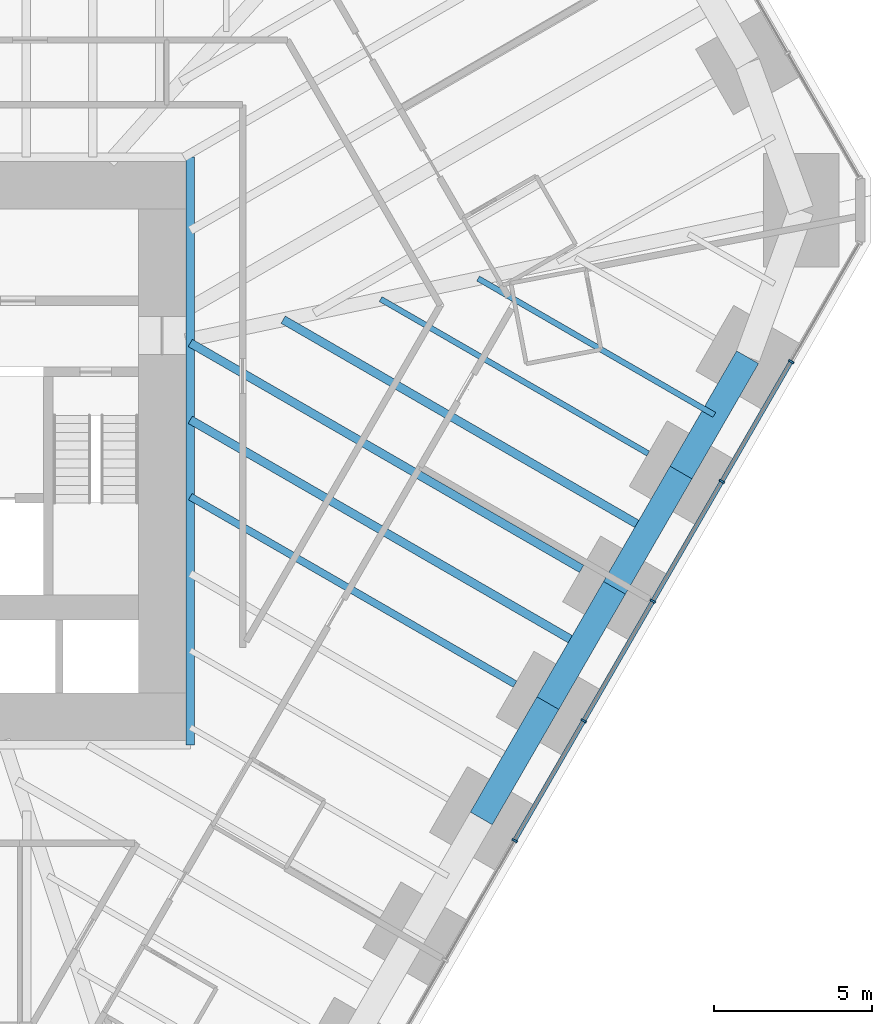
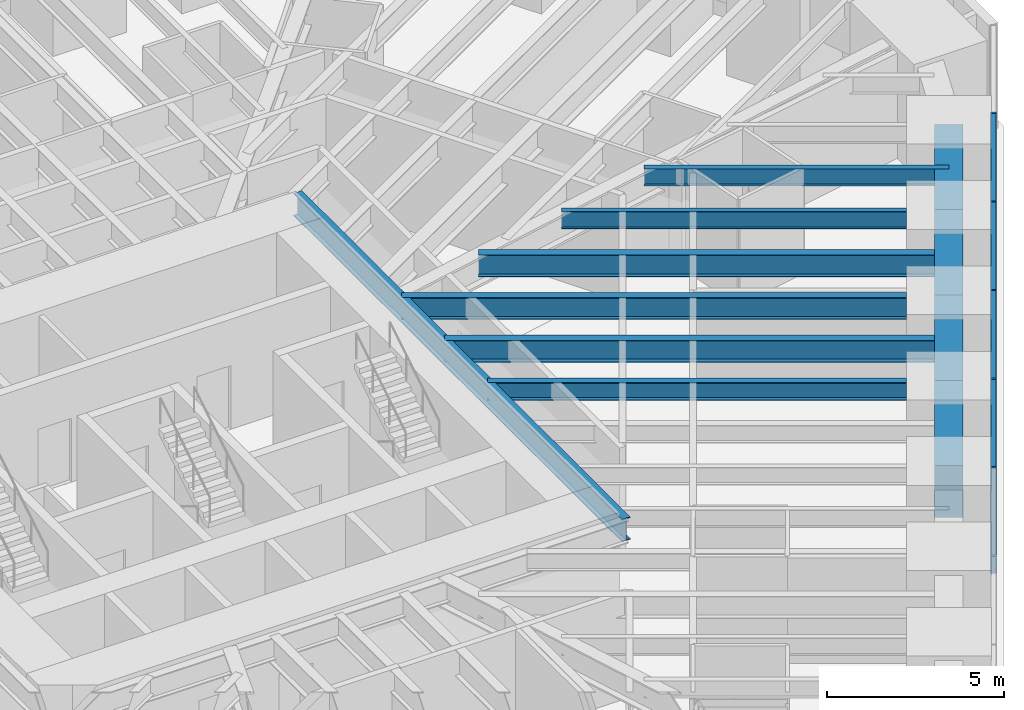
# One storey, part 6 of 17: 11 beams, 9 members, 1 element without a shape of its own.
"""IFC4 building model written with IfcOpenShell, lengths in metres."""

from ifc_helpers import new_model, si_unit, direction, frame, origin, origin_2d, place, context, subcontext, project, spatial, rectangle, i_section, extrude, material, material_profile, profile_set, type_object, element, aggregate, save


model = new_model("IFC4")

# Units and contexts
model_context = context("Model", 3, precision=1e-05, world=origin(), true_north=direction((0.0, 1.0)))
body_context = subcontext(model_context, "Body", "Model", "MODEL_VIEW")
ifc_project = project(units=[si_unit("LENGTHUNIT", "METRE"), si_unit("AREAUNIT", "SQUARE_METRE"), si_unit("VOLUMEUNIT", "CUBIC_METRE"), si_unit("PLANEANGLEUNIT", "RADIAN"), si_unit("MASSUNIT", "GRAM", prefix="KILO")], contexts=[model_context])

# Site, building, storey
site_placement = place(None, origin())
site = spatial("IfcSite", under=ifc_project, at=site_placement, CompositionType="ELEMENT")
building_placement = place(site_placement, origin())
building = spatial("IfcBuilding", under=site, at=building_placement, Name="Sandreach Pilgrim Tower", CompositionType="ELEMENT")
storey_placement = place(building_placement, frame((0.0, 0.0, 42.0)))
storey = spatial("IfcBuildingStorey", under=building, at=storey_placement, Name="L09", CompositionType="ELEMENT", Elevation=42.0)

# Curtain wall, members
ifc_material_1 = material(Name="Aluminium framed curtain wall", Category="aluminium")
curtain_wall_type = type_object("IfcCurtainWallType", Name="Hostel tower curtain wall", PredefinedType="NOTDEFINED", material=ifc_material_1)
curtain_wall_placement = place(storey_placement, origin())
curtain_wall = element("IfcCurtainWall", 1, at=curtain_wall_placement, inside=storey, type_object=curtain_wall_type, Name="CW-1 L09 SE", PredefinedType="NOTDEFINED")
ifc_material_2 = material(Name="Aluminium extrusion", Category="aluminium")
ifc_material_profile_1 = material_profile(ifc_material_2, rectangle(XDim=0.06494140625, YDim=0.179931640625, at=origin_2d()), Name="CW-1M 65X180")
ifc_profile_set_1 = profile_set([ifc_material_profile_1], Name="Aluminium extrusion")
member_type_1 = type_object("IfcMemberType", Name="CW-1 mullion", PredefinedType="MULLION", material=ifc_profile_set_1)
member_1_placement = place(storey_placement, frame((28.390380859375, 1.2763671875, 0.0), z_axis=(0.0, 0.0, 1.0), x_axis=(-0.5, -0.866025403784, 0.0)))
member_1 = element("IfcMember", 2, at=member_1_placement, type_object=member_type_1, Name="CW-1 mullion 2", PredefinedType="MULLION", context=body_context, shape_type="SweptSolid", body=[
    extrude(rectangle(XDim=0.06494140625, YDim=0.179931640625, at=origin_2d()), origin(), (0.0, 0.0, 1.0), 3.639892578125),
])
member_2_placement = place(storey_placement, frame((26.20458984375, -2.509521484375, 0.0), z_axis=(0.0, 0.0, 1.0), x_axis=(-0.5, -0.866025403784, 0.0)))
member_2 = element("IfcMember", 3, at=member_2_placement, type_object=member_type_1, Name="CW-1 mullion 3", PredefinedType="MULLION", context=body_context, shape_type="SweptSolid", body=[
    extrude(rectangle(XDim=0.06494140625, YDim=0.179931640625, at=origin_2d()), origin(), (0.0, 0.0, 1.0), 3.639892578125),
])
member_3_placement = place(storey_placement, frame((24.018798828125, -6.29541015625, 0.0), z_axis=(0.0, 0.0, 1.0), x_axis=(-0.5, -0.866025403784, 0.0)))
member_3 = element("IfcMember", 4, at=member_3_placement, type_object=member_type_1, Name="CW-1 mullion 4", PredefinedType="MULLION", context=body_context, shape_type="SweptSolid", body=[
    extrude(rectangle(XDim=0.06494140625, YDim=0.179931640625, at=origin_2d()), origin(), (0.0, 0.0, 1.0), 3.639892578125),
])
member_4_placement = place(storey_placement, frame((21.8330078125, -10.081298828125, 0.0), z_axis=(0.0, 0.0, 1.0), x_axis=(-0.5, -0.866025403784, 0.0)))
member_4 = element("IfcMember", 5, at=member_4_placement, type_object=member_type_1, Name="CW-1 mullion 5", PredefinedType="MULLION", context=body_context, shape_type="SweptSolid", body=[
    extrude(rectangle(XDim=0.06494140625, YDim=0.179931640625, at=origin_2d()), origin(), (0.0, 0.0, 1.0), 3.639892578125),
])
member_5_placement = place(storey_placement, frame((19.647216796875, -13.8671875, 0.0), z_axis=(0.0, 0.0, 1.0), x_axis=(-0.5, -0.866025403784, 0.0)))
member_5 = element("IfcMember", 6, at=member_5_placement, type_object=member_type_1, Name="CW-1 mullion 6", PredefinedType="MULLION", context=body_context, shape_type="SweptSolid", body=[
    extrude(rectangle(XDim=0.06494140625, YDim=0.179931640625, at=origin_2d()), origin(), (0.0, 0.0, 1.0), 3.639892578125),
])
ifc_material_3 = material(Name="Aluminium extrusion", Category="aluminium")
ifc_material_profile_2 = material_profile(ifc_material_3, rectangle(XDim=0.139892578125, YDim=0.070068359375, at=origin_2d()), Name="CW-1T 140X70")
ifc_profile_set_2 = profile_set([ifc_material_profile_2], Name="Aluminium extrusion")
member_type_2 = type_object("IfcMemberType", Name="CW-1 transom", PredefinedType="USERDEFINED", material=ifc_profile_set_2)
member_6_placement = place(storey_placement, frame((28.374267578125, 1.248046875, 3.60498046875), z_axis=(-0.500016891966, -0.866015650984, 0.0), x_axis=(0.866015650984, -0.500016891966, 0.0)))
member_6 = element("IfcMember", 7, at=member_6_placement, type_object=member_type_2, Name="CW-1 head transom 2", ObjectType="TRANSOM", PredefinedType="USERDEFINED", context=body_context, shape_type="SweptSolid", body=[
    extrude(rectangle(XDim=0.139892578125, YDim=0.070068359375, at=origin_2d()), origin(), (0.0, 0.0, 1.0), 4.306396484375),
])
member_7_placement = place(storey_placement, frame((26.1884765625, -2.537841796875, 3.60498046875), z_axis=(-0.500016891966, -0.866015650984, 0.0), x_axis=(0.866015650984, -0.500016891966, 0.0)))
member_7 = element("IfcMember", 8, at=member_7_placement, type_object=member_type_2, Name="CW-1 head transom 3", ObjectType="TRANSOM", PredefinedType="USERDEFINED", context=body_context, shape_type="SweptSolid", body=[
    extrude(rectangle(XDim=0.139892578125, YDim=0.070068359375, at=origin_2d()), origin(), (0.0, 0.0, 1.0), 4.306396484375),
])
member_8_placement = place(storey_placement, frame((24.002685546875, -6.32373046875, 3.60498046875), z_axis=(-0.500016891966, -0.866015650984, 0.0), x_axis=(0.866015650984, -0.500016891966, 0.0)))
member_8 = element("IfcMember", 9, at=member_8_placement, type_object=member_type_2, Name="CW-1 head transom 4", ObjectType="TRANSOM", PredefinedType="USERDEFINED", context=body_context, shape_type="SweptSolid", body=[
    extrude(rectangle(XDim=0.139892578125, YDim=0.070068359375, at=origin_2d()), origin(), (0.0, 0.0, 1.0), 4.306396484375),
])
member_9_placement = place(storey_placement, frame((21.81689453125, -10.109619140625, 3.60498046875), z_axis=(-0.500016891966, -0.866015650984, 0.0), x_axis=(0.866015650984, -0.500016891966, 0.0)))
member_9 = element("IfcMember", 10, at=member_9_placement, type_object=member_type_2, Name="CW-1 head transom 5", ObjectType="TRANSOM", PredefinedType="USERDEFINED", context=body_context, shape_type="SweptSolid", body=[
    extrude(rectangle(XDim=0.139892578125, YDim=0.070068359375, at=origin_2d()), origin(), (0.0, 0.0, 1.0), 4.306396484375),
])
aggregate(curtain_wall, [member_1, member_2, member_3, member_4, member_5, member_6, member_7, member_8, member_9])

# Beams
ifc_material_4 = material(Name="Steel ASTM A992 Grade 50", Category="steel")
ifc_material_profile_3 = material_profile(ifc_material_4, i_section(OverallWidth=0.2666015625, OverallDepth=0.77978515625, WebThickness=0.0166015625, FlangeThickness=0.030029296875, at=origin_2d()), Name="W30X148")
ifc_profile_set_3 = profile_set([ifc_material_profile_3], Name="Steel ASTM A992 Grade 50")
beam_type_1 = type_object("IfcBeamType", Name="Core edge beam W30X148", PredefinedType="BEAM", material=ifc_profile_set_3)
beam_1_placement = place(storey_placement, frame((9.393310546875, 7.743408203125, 3.25), z_axis=(0.0, -1.0, 0.0), x_axis=(1.0, 0.0, 0.0)))
element("IfcBeam", 11, at=beam_1_placement, inside=storey, type_object=beam_type_1, Name="BM L09 CEE", PredefinedType="BEAM", context=body_context, shape_type="SweptSolid", body=[
    extrude(i_section(OverallWidth=0.2666015625, OverallDepth=0.77978515625, WebThickness=0.0166015625, FlangeThickness=0.030029296875, at=origin_2d()), origin(), (0.0, 0.0, 1.0), 18.586669921875),
])
ifc_material_5 = material(Name="Steel ASTM A992 Grade 50", Category="steel")
ifc_material_profile_4 = material_profile(ifc_material_5, i_section(OverallWidth=0.1787109375, OverallDepth=0.60205078125, WebThickness=0.010986328125, FlangeThickness=0.014892578125, at=origin_2d()), Name="W24X62")
ifc_profile_set_4 = profile_set([ifc_material_profile_4], Name="Steel ASTM A992 Grade 50")
beam_type_2 = type_object("IfcBeamType", Name="Floor beam W24X62", PredefinedType="BEAM", material=ifc_profile_set_4)
beam_2_placement = place(storey_placement, frame((23.8720703125, -1.629638671875, 3.339111328125), z_axis=(-0.866025751498, 0.499999397742, 0.0), x_axis=(-0.499999397742, -0.866025751498, 0.0)))
element("IfcBeam", 12, at=beam_2_placement, inside=storey, type_object=beam_type_2, Name="BM L09 F15", PredefinedType="BEAM", context=body_context, shape_type="SweptSolid", body=[
    extrude(i_section(OverallWidth=0.1787109375, OverallDepth=0.60205078125, WebThickness=0.010986328125, FlangeThickness=0.014892578125, at=origin_2d()), origin(), (0.0, 0.0, 1.0), 9.767578125),
])
beam_3_placement = place(storey_placement, frame((25.9638671875, -0.40673828125, 3.339111328125), z_axis=(-0.866020100198, 0.500009185969, 0.0), x_axis=(-0.500009185969, -0.866020100198, 0.0)))
element("IfcBeam", 13, at=beam_3_placement, inside=storey, type_object=beam_type_2, Name="BM L09 FM14", PredefinedType="BEAM", context=body_context, shape_type="SweptSolid", body=[
    extrude(i_section(OverallWidth=0.1787109375, OverallDepth=0.60205078125, WebThickness=0.010986328125, FlangeThickness=0.014892578125, at=origin_2d()), origin(), (0.0, 0.0, 1.0), 8.623291015625),
])
ifc_material_6 = material(Name="Steel ASTM A992 Grade 50", Category="steel")
ifc_material_profile_5 = material_profile(ifc_material_6, i_section(OverallWidth=0.23046875, OverallDepth=0.6171875, WebThickness=0.01318359375, FlangeThickness=0.022216796875, at=origin_2d()), Name="W24X94")
ifc_profile_set_5 = profile_set([ifc_material_profile_5], Name="Steel ASTM A992 Grade 50")
beam_type_3 = type_object("IfcBeamType", Name="Floor beam W24X94", PredefinedType="BEAM", material=ifc_profile_set_5)
beam_4_placement = place(storey_placement, frame((19.662353515625, -8.92138671875, 3.331298828125), z_axis=(-0.866029924088, 0.499992170523, 0.0), x_axis=(-0.499992170523, -0.866029924088, 0.0)))
element("IfcBeam", 14, at=beam_4_placement, inside=storey, type_object=beam_type_3, Name="BM L09 F17", PredefinedType="BEAM", context=body_context, shape_type="SweptSolid", body=[
    extrude(i_section(OverallWidth=0.23046875, OverallDepth=0.6171875, WebThickness=0.01318359375, FlangeThickness=0.022216796875, at=origin_2d()), origin(), (0.0, 0.0, 1.0), 11.857666015625),
])
ifc_material_7 = material(Name="Steel ASTM A992 Grade 50", Category="steel")
ifc_material_profile_6 = material_profile(ifc_material_7, i_section(OverallWidth=0.2666015625, OverallDepth=0.761962890625, WebThickness=0.014404296875, FlangeThickness=0.021484375, at=origin_2d()), Name="W30X116")
ifc_profile_set_6 = profile_set([ifc_material_profile_6], Name="Steel ASTM A992 Grade 50")
beam_type_4 = type_object("IfcBeamType", Name="Floor beam W30X116", PredefinedType="BEAM", material=ifc_profile_set_6)
beam_5_placement = place(storey_placement, frame((21.76708984375, -5.275390625, 3.259033203125), z_axis=(-0.866024247282, 0.500002003116, 0.0), x_axis=(-0.500002003116, -0.866024247282, 0.0)))
element("IfcBeam", 15, at=beam_5_placement, inside=storey, type_object=beam_type_4, Name="BM L09 F16", PredefinedType="BEAM", context=body_context, shape_type="SweptSolid", body=[
    extrude(i_section(OverallWidth=0.2666015625, OverallDepth=0.761962890625, WebThickness=0.014404296875, FlangeThickness=0.021484375, at=origin_2d()), origin(), (0.0, 0.0, 1.0), 14.2880859375),
])
beam_6_placement = place(storey_placement, frame((23.85888671875, -4.052490234375, 3.259033203125), z_axis=(-0.866029213426, 0.499993401449, 0.0), x_axis=(-0.499993401449, -0.866029213426, 0.0)))
element("IfcBeam", 16, at=beam_6_placement, inside=storey, type_object=beam_type_4, Name="BM L09 FM15", PredefinedType="BEAM", context=body_context, shape_type="SweptSolid", body=[
    extrude(i_section(OverallWidth=0.2666015625, OverallDepth=0.761962890625, WebThickness=0.014404296875, FlangeThickness=0.021484375, at=origin_2d()), origin(), (0.0, 0.0, 1.0), 13.311767578125),
])
beam_7_placement = place(storey_placement, frame((21.75390625, -7.698486328125, 3.259033203125), z_axis=(-0.866022935671, 0.500004274874, 0.0), x_axis=(-0.500004274874, -0.866022935671, 0.0)))
element("IfcBeam", 17, at=beam_7_placement, inside=storey, type_object=beam_type_4, Name="BM L09 FM16", PredefinedType="BEAM", context=body_context, shape_type="SweptSolid", body=[
    extrude(i_section(OverallWidth=0.2666015625, OverallDepth=0.761962890625, WebThickness=0.014404296875, FlangeThickness=0.021484375, at=origin_2d()), origin(), (0.0, 0.0, 1.0), 14.27294921875),
])
ifc_material_8 = material(Name="Concrete 10000 psi", Category="concrete")
ifc_material_profile_7 = material_profile(ifc_material_8, rectangle(XDim=0.800048828125, YDim=1.800048828125, at=origin_2d()), Name="RC800X1800")
ifc_profile_set_7 = profile_set([ifc_material_profile_7], Name="Concrete 10000 psi")
beam_type_5 = type_object("IfcBeamType", Name="Spandrel beam RC800X1800", PredefinedType="SPANDREL", material=ifc_profile_set_7)
beam_8_placement = place(storey_placement, frame((27.016357421875, 1.416259765625, 2.739990234375), z_axis=(-0.499993523031, -0.866029143232, 0.0), x_axis=(0.866029143232, -0.499993523031, 0.0)))
element("IfcBeam", 18, at=beam_8_placement, inside=storey, type_object=beam_type_5, Name="BM L09 SP14", PredefinedType="SPANDREL", context=body_context, shape_type="SweptSolid", body=[
    extrude(rectangle(XDim=0.800048828125, YDim=1.800048828125, at=origin_2d()), origin(), (0.0, 0.0, 1.0), 4.2099609375),
])
beam_9_placement = place(storey_placement, frame((24.911376953125, -2.229736328125, 2.739990234375), z_axis=(-0.50001863446, -0.866014644907, 0.0), x_axis=(0.866014644907, -0.50001863446, 0.0)))
element("IfcBeam", 19, at=beam_9_placement, inside=storey, type_object=beam_type_5, Name="BM L09 SP15", PredefinedType="SPANDREL", context=body_context, shape_type="SweptSolid", body=[
    extrude(rectangle(XDim=0.800048828125, YDim=1.800048828125, at=origin_2d()), origin(), (0.0, 0.0, 1.0), 4.209716796875),
])
beam_10_placement = place(storey_placement, frame((22.806396484375, -5.87548828125, 2.739990234375), z_axis=(-0.499993523031, -0.866029143232, 0.0), x_axis=(0.866029143232, -0.499993523031, 0.0)))
element("IfcBeam", 20, at=beam_10_placement, inside=storey, type_object=beam_type_5, Name="BM L09 SP16", PredefinedType="SPANDREL", context=body_context, shape_type="SweptSolid", body=[
    extrude(rectangle(XDim=0.800048828125, YDim=1.800048828125, at=origin_2d()), origin(), (0.0, 0.0, 1.0), 4.2099609375),
])
beam_11_placement = place(storey_placement, frame((20.701416015625, -9.521484375, 2.739990234375), z_axis=(-0.50001863446, -0.866014644907, 0.0), x_axis=(0.866014644907, -0.50001863446, 0.0)))
element("IfcBeam", 21, at=beam_11_placement, inside=storey, type_object=beam_type_5, Name="BM L09 SP17", PredefinedType="SPANDREL", context=body_context, shape_type="SweptSolid", body=[
    extrude(rectangle(XDim=0.800048828125, YDim=1.800048828125, at=origin_2d()), origin(), (0.0, 0.0, 1.0), 4.209716796875),
])

save(model, "model.ifc")
